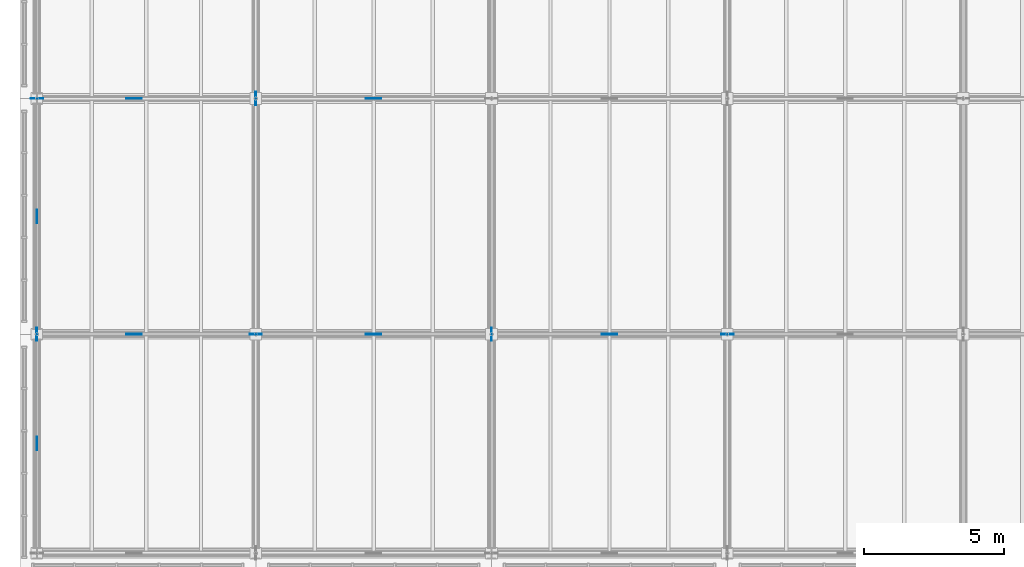
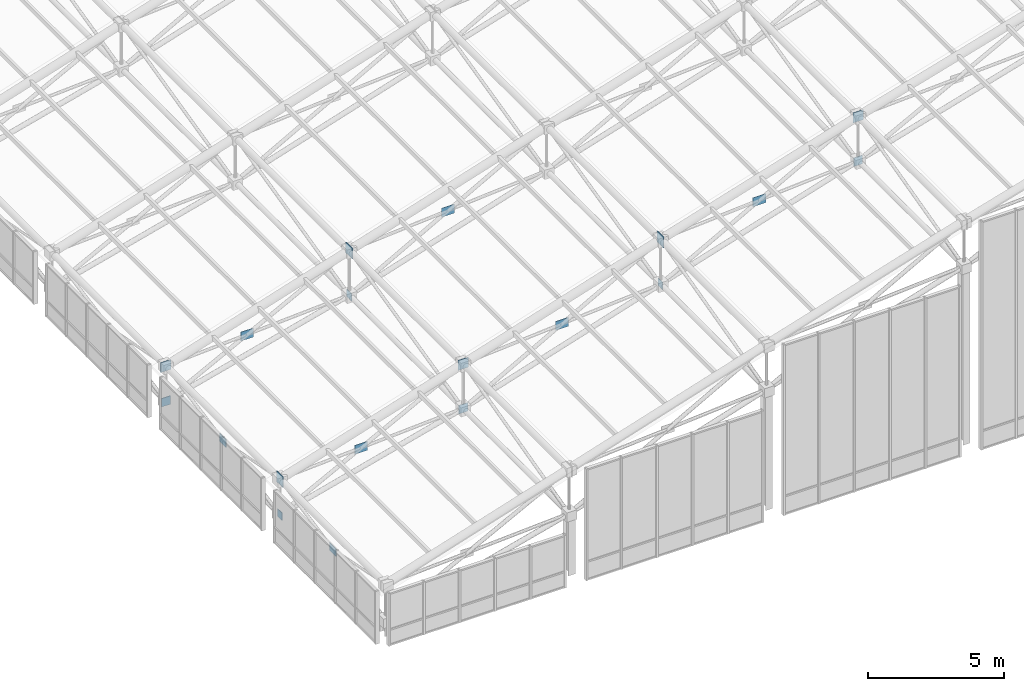
# One storey, part 116 of 144: 19 plates.
"""IFC4 building model written with IfcOpenShell, lengths in metres."""

from ifc_helpers import new_model, si_unit, direction, frame, origin, origin_2d, place, context, subcontext, project, spatial, rectangle, extrude, material, layer, layer_set, type_object, element, save


model = new_model("IFC4")

# Units and contexts
model_context = context("Model", 3, precision=1e-05, world=origin(), true_north=direction((0.0, 1.0)))
body_context = subcontext(model_context, "Body", "Model", "MODEL_VIEW")
ifc_project = project(units=[si_unit("LENGTHUNIT", "METRE"), si_unit("AREAUNIT", "SQUARE_METRE"), si_unit("VOLUMEUNIT", "CUBIC_METRE"), si_unit("PLANEANGLEUNIT", "RADIAN"), si_unit("MASSUNIT", "GRAM", prefix="KILO")], contexts=[model_context])

# Site, building, storey
site_placement = place(None, origin())
site = spatial("IfcSite", under=ifc_project, at=site_placement, CompositionType="ELEMENT")
building_placement = place(site_placement, origin())
building = spatial("IfcBuilding", under=site, at=building_placement, Name="Zayran Congress Hotel", CompositionType="ELEMENT")
storey_placement = place(building_placement, frame((0.0, 0.0, 19.199951171875)))
storey = spatial("IfcBuildingStorey", under=building, at=storey_placement, Name="L04", CompositionType="ELEMENT", Elevation=19.199951171875)

# Plates
ifc_material = material(Name="Steel S355", Category="steel")
ifc_layer_1 = layer(ifc_material, 0.02490234375)
ifc_layer_set_1 = layer_set([ifc_layer_1], Name="Steel S355")
plate_type_1 = type_object("IfcPlateType", Name="TP-SN-CP1", PredefinedType="USERDEFINED", material=ifc_layer_set_1)
for number, where, z_axis, x_axis, name in (
    (1, (9.0, 84.39990234375, 1.971435546875), (0.0, 0.0, 1.0), (1.0, 0.0, 0.0), "Space Frame Node Cap Plate 3"),
    (2, (16.800048828125, 76.0, 4.43212890625), (0.0, 0.0, 1.0), (1.0, 0.0, 0.0), "Space Frame Node Cap Plate 9"),
    (3, (33.60009765625, 76.0, 9.68212890625), (0.0, 0.0, 1.0), (1.0, 0.0, 0.0), "Space Frame Node Cap Plate 23"),
):
    element("IfcPlate", number, at=place(storey_placement, frame(where, z_axis=z_axis, x_axis=x_axis)), inside=storey, type_object=plate_type_1, Name=name, ObjectType="GUSSET_PLATE", PredefinedType="USERDEFINED", context=body_context, shape_type="SweptSolid", body=[
        extrude(rectangle(XDim=0.43994140625, YDim=0.02490234375, at=origin_2d()), origin(), (0.0, 0.0, 1.0), 0.43994140625),
    ])
ifc_layer_2 = layer(ifc_material, 0.02490234375)
ifc_layer_set_2 = layer_set([ifc_layer_2], Name="Steel S355")
plate_type_2 = type_object("IfcPlateType", Name="TP-SN-CP2", PredefinedType="USERDEFINED", material=ifc_layer_set_2)
for number, where, z_axis, x_axis, name in (
    (4, (9.0, 84.39990234375, 0.41015625), (0.0, 0.0, 1.0), (1.0, 0.0, 0.0), "Space Frame Node Cap Plate 80"),
    (5, (16.800048828125, 76.0, 2.460205078125), (0.0, 0.0, 1.0), (1.0, 0.0, 0.0), "Space Frame Node Cap Plate 86"),
    (6, (33.60009765625, 76.0, 7.710205078125), (0.0, 0.0, 1.0), (1.0, 0.0, 0.0), "Space Frame Node Cap Plate 100"),
):
    element("IfcPlate", number, at=place(storey_placement, frame(where, z_axis=z_axis, x_axis=x_axis)), inside=storey, type_object=plate_type_2, Name=name, ObjectType="GUSSET_PLATE", PredefinedType="USERDEFINED", context=body_context, shape_type="SweptSolid", body=[
        extrude(rectangle(XDim=0.3798828125, YDim=0.02490234375, at=origin_2d()), origin(), (0.0, 0.0, 1.0), 0.3798828125),
    ])
ifc_layer_3 = layer(ifc_material, 0.02001953125)
ifc_layer_set_3 = layer_set([ifc_layer_3], Name="Steel S355")
plate_type_3 = type_object("IfcPlateType", Name="TP-SN-CP3", PredefinedType="USERDEFINED", material=ifc_layer_set_3)
for number, where, z_axis, x_axis, name in (
    (7, (9.0, 76.0, 0.43017578125), (0.0, 0.0, 1.0), (0.0, 1.0, 0.0), "Space Frame Node Cap Plate 79"),
    (8, (16.800048828125, 84.39990234375, 2.47998046875), (0.0, 0.0, 1.0), (0.0, 1.0, 0.0), "Space Frame Node Cap Plate 87"),
    (9, (25.199951171875, 76.0, 5.1298828125), (0.0, 0.0, 1.0), (0.0, 1.0, 0.0), "Space Frame Node Cap Plate 93"),
):
    element("IfcPlate", number, at=place(storey_placement, frame(where, z_axis=z_axis, x_axis=x_axis)), inside=storey, type_object=plate_type_3, Name=name, ObjectType="GUSSET_PLATE", PredefinedType="USERDEFINED", context=body_context, shape_type="SweptSolid", body=[
        extrude(rectangle(XDim=0.340087890625, YDim=0.02001953125, at=origin_2d()), origin(), (0.0, 0.0, 1.0), 0.340087890625),
    ])
ifc_layer_4 = layer(ifc_material, 0.028076171875)
ifc_layer_set_4 = layer_set([ifc_layer_4], Name="Steel S355")
plate_type_4 = type_object("IfcPlateType", Name="TP-SN-CP4", PredefinedType="USERDEFINED", material=ifc_layer_set_4)
for number, where, z_axis, x_axis, name in (
    (10, (9.0, 76.0, 1.951416015625), (0.0, 0.0, 1.0), (0.0, 1.0, 0.0), "Space Frame Node Cap Plate 2"),
    (11, (16.800048828125, 84.39990234375, 4.412109375), (0.0, 0.0, 1.0), (0.0, 1.0, 0.0), "Space Frame Node Cap Plate 10"),
    (12, (25.199951171875, 76.0, 7.06201171875), (0.0, 0.0, 1.0), (0.0, 1.0, 0.0), "Space Frame Node Cap Plate 16"),
):
    element("IfcPlate", number, at=place(storey_placement, frame(where, z_axis=z_axis, x_axis=x_axis)), inside=storey, type_object=plate_type_4, Name=name, ObjectType="GUSSET_PLATE", PredefinedType="USERDEFINED", context=body_context, shape_type="SweptSolid", body=[
        extrude(rectangle(XDim=0.47998046875, YDim=0.028076171875, at=origin_2d()), origin(), (0.0, 0.0, 1.0), 0.47998046875),
    ])
ifc_layer_5 = layer(ifc_material, 0.02490234375)
ifc_layer_set_5 = layer_set([ifc_layer_5], Name="Steel S355")
plate_type_5 = type_object("IfcPlateType", Name="TP-GS-01", PredefinedType="USERDEFINED", material=ifc_layer_set_5)
for number, where, z_axis, x_axis, name in (
    (13, (12.4541015625, 76.0, 2.194580078125), (0.0, 0.0, 1.0), (1.0, 0.0, 0.0), "V1 Brace Crossing Gusset Plate 3"),
    (14, (12.4541015625, 84.39990234375, 2.194580078125), (0.0, 0.0, 1.0), (1.0, 0.0, 0.0), "V1 Brace Crossing Gusset Plate 5"),
    (15, (21.0, 76.0, 4.776123046875), (0.0, 0.0, 1.0), (1.0, 0.0, 0.0), "V1 Brace Crossing Gusset Plate 15"),
    (16, (21.0, 84.39990234375, 4.776123046875), (0.0, 0.0, 1.0), (1.0, 0.0, 0.0), "V1 Brace Crossing Gusset Plate 16"),
    (17, (29.39990234375, 76.0, 7.401123046875), (0.0, 0.0, 1.0), (1.0, 0.0, 0.0), "V1 Brace Crossing Gusset Plate 22"),
):
    element("IfcPlate", number, at=place(storey_placement, frame(where, z_axis=z_axis, x_axis=x_axis)), inside=storey, type_object=plate_type_5, Name=name, ObjectType="GUSSET_PLATE", PredefinedType="USERDEFINED", context=body_context, shape_type="SweptSolid", body=[
        extrude(rectangle(XDim=0.550048828125, YDim=0.02490234375, at=origin_2d()), origin(), (0.0, 0.0, 1.0), 0.39990234375),
    ])
ifc_layer_6 = layer(ifc_material, 0.02001953125)
ifc_layer_set_6 = layer_set([ifc_layer_6], Name="Steel S355")
plate_type_6 = type_object("IfcPlateType", Name="TP-GS-02", PredefinedType="USERDEFINED", material=ifc_layer_set_6)
for number, where, z_axis, x_axis, name in (
    (18, (9.0, 72.10009765625, 1.2158203125), (0.0, 0.0, 1.0), (0.0, 1.0, 0.0), "V1 Brace Crossing Gusset Plate 2"),
    (19, (9.0, 80.199951171875, 1.2158203125), (0.0, 0.0, 1.0), (0.0, 1.0, 0.0), "V1 Brace Crossing Gusset Plate 4"),
):
    element("IfcPlate", number, at=place(storey_placement, frame(where, z_axis=z_axis, x_axis=x_axis)), inside=storey, type_object=plate_type_6, Name=name, ObjectType="GUSSET_PLATE", PredefinedType="USERDEFINED", context=body_context, shape_type="SweptSolid", body=[
        extrude(rectangle(XDim=0.47998046875, YDim=0.02001953125, at=origin_2d()), origin(), (0.0, 0.0, 1.0), 0.360107421875),
    ])

save(model, "model.ifc")
